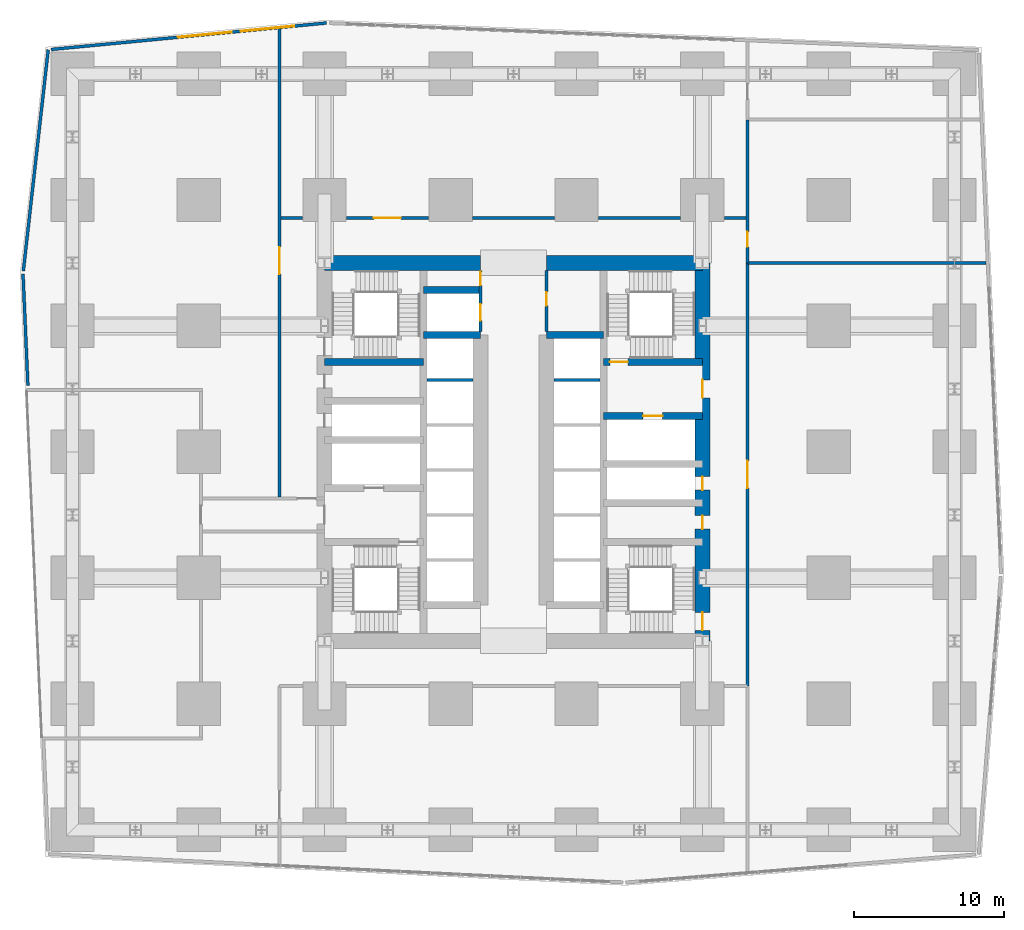
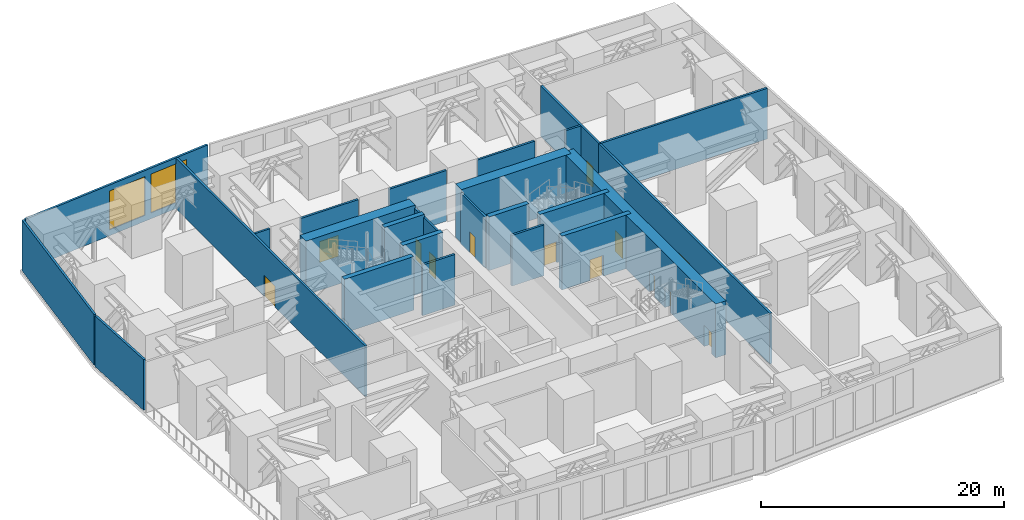
# One storey, part 10 of 16: 25 walls, 13 doors, 2 windows, 15 openings.
"""IFC4 building model written with IfcOpenShell, lengths in metres."""

from ifc_helpers import new_model, si_unit, direction, frame, frame_2d, origin, place, context, subcontext, project, spatial, rectangle, extrude, material, layer, layer_set, type_object, element, fill, save


model = new_model("IFC4")

# Units and contexts
model_context = context("Model", 3, precision=1e-05, world=origin(), true_north=direction((0.0, 1.0)))
body_context = subcontext(model_context, "Body", "Model", "MODEL_VIEW")
ifc_project = project(units=[si_unit("LENGTHUNIT", "METRE"), si_unit("AREAUNIT", "SQUARE_METRE"), si_unit("VOLUMEUNIT", "CUBIC_METRE"), si_unit("PLANEANGLEUNIT", "RADIAN"), si_unit("MASSUNIT", "GRAM", prefix="KILO")], contexts=[model_context])

# Site, building, storey
site_placement = place(None, origin())
site = spatial("IfcSite", under=ifc_project, at=site_placement, CompositionType="ELEMENT")
building_placement = place(site_placement, origin())
building = spatial("IfcBuilding", under=site, at=building_placement, Name="Rekha Terrace Tower", CompositionType="ELEMENT")
storey_placement = place(building_placement, frame((0.0, 0.0, 85.39990234375)))
storey = spatial("IfcBuildingStorey", under=building, at=storey_placement, Name="L21", CompositionType="ELEMENT", Elevation=85.39990234375)

# Walls
ifc_material_1 = material(Name="Concrete M70", Category="concrete")
ifc_layer_1 = layer(ifc_material_1, 0.449951171875)
ifc_layer_set_1 = layer_set([ifc_layer_1], Name="Concrete M70")
wall_type_1 = type_object("IfcWallType", Name="CI2 450 core internal shear wall", PredefinedType="SHEAR", material=ifc_layer_set_1)
for number, where, z_axis, x_axis, name in (
    (1, (31.800048828125, 41.39990234375, 0.0), (0.0, 0.0, 1.0), (1.0, 0.0, 0.0), "Core wall Y414W L21"),
    (2, (31.800048828125, 44.39990234375, 0.0), (0.0, 0.0, 1.0), (1.0, 0.0, 0.0), "Core wall Y444W L21"),
    (3, (40.0, 41.39990234375, 0.0), (0.0, 0.0, 1.0), (1.0, 0.0, 0.0), "Core wall Y414E L21"),
):
    element("IfcWall", number, at=place(storey_placement, frame(where, z_axis=z_axis, x_axis=x_axis)), inside=storey, type_object=wall_type_1, Name=name, PredefinedType="SHEAR", context=body_context, shape_type="SweptSolid", body=[
        extrude(rectangle(XDim=3.800048828125, YDim=0.449951171875, at=frame_2d((1.89990234375, 0.0))), origin(), (0.0, 0.0, 1.0), 5.400146484375),
    ])
wall_1_placement = place(storey_placement, frame((25.199951171875, 39.60009765625, 0.0), z_axis=(0.0, 0.0, 1.0), x_axis=(1.0, 0.0, 0.0)))
element("IfcWall", 4, at=wall_1_placement, inside=storey, type_object=wall_type_1, Name="Core wall Y396W L21", PredefinedType="SHEAR", context=body_context, shape_type="SweptSolid", body=[
    extrude(rectangle(XDim=6.60009765625, YDim=0.449951171875, at=frame_2d((3.300048828125, 0.0))), origin(), (0.0, 0.0, 1.0), 5.400146484375),
])

# Wall, opening, door
wall_2_placement = place(storey_placement, frame((43.800048828125, 36.0, 0.0), z_axis=(0.0, 0.0, 1.0), x_axis=(1.0, 0.0, 0.0)))
wall_2 = element("IfcWall", 5, at=wall_2_placement, inside=storey, type_object=wall_type_1, Name="Core wall Y360E L21", PredefinedType="SHEAR", context=body_context, shape_type="SweptSolid", body=[
    extrude(rectangle(XDim=6.599853515625, YDim=0.449951171875, at=frame_2d((3.2998046875, 0.0))), origin(), (0.0, 0.0, 1.0), 5.400146484375),
])
opening_1_placement = place(wall_2_placement, frame((2.64990234375, 0.0, 0.0)))
opening_1 = element("IfcOpeningElement", 6, at=opening_1_placement, cuts=wall_2, Name="Opening LD2", PredefinedType="OPENING", context=body_context, shape_type="SweptSolid", body=[
    extrude(rectangle(XDim=1.300048828125, YDim=2.10009765625, at=frame_2d((0.64990234375, 1.050048828125))), frame((0.0, 0.23486328125, 0.0), z_axis=(0.0, -1.0, 0.0), x_axis=(1.0, 0.0, 0.0)), (0.0, 0.0, 1.0), 0.469970703125),
])
ifc_material_2 = material(Name="Stainless steel sliding landing door", Category="steel")
door_type_1 = type_object("IfcDoorType", Name="LD2 1300x2100 fire lift landing door", OperationType="SLIDING_TO_LEFT", PredefinedType="USERDEFINED", material=ifc_material_2)
door_1_placement = place(opening_1_placement, origin())
door_1 = element("IfcDoor", 7, at=door_1_placement, inside=storey, type_object=door_type_1, Name="Lift FL2 landing door L21", ObjectType="LIFT LANDING DOOR", OperationType="SLIDING_TO_LEFT", OverallHeight=2.10009765625, OverallWidth=1.300048828125, PredefinedType="USERDEFINED", context=body_context, shape_type="SweptSolid", body=[
    extrude(rectangle(XDim=1.300048828125, YDim=2.10009765625, at=frame_2d((0.64990234375, 1.050048828125))), frame((0.0, 0.02490234375, 0.0), z_axis=(0.0, -1.0, 0.0), x_axis=(1.0, 0.0, 0.0)), (0.0, 0.0, 1.0), 0.050048828125),
])
fill(opening_1, door_1)

wall_3_placement = place(storey_placement, frame((43.800048828125, 39.60009765625, 0.0), z_axis=(0.0, 0.0, 1.0), x_axis=(1.0, 0.0, 0.0)))
wall_3 = element("IfcWall", 8, at=wall_3_placement, inside=storey, type_object=wall_type_1, Name="Core wall Y396E L21", PredefinedType="SHEAR", context=body_context, shape_type="SweptSolid", body=[
    extrude(rectangle(XDim=6.599853515625, YDim=0.449951171875, at=frame_2d((3.2998046875, 0.0))), origin(), (0.0, 0.0, 1.0), 5.400146484375),
])
opening_2_placement = place(wall_3_placement, frame((0.425048828125, 0.0, 0.0)))
opening_2 = element("IfcOpeningElement", 9, at=opening_2_placement, cuts=wall_3, Name="Opening D1", PredefinedType="OPENING", context=body_context, shape_type="SweptSolid", body=[
    extrude(rectangle(XDim=1.199951171875, YDim=2.10009765625, at=frame_2d((0.60009765625, 1.050048828125))), frame((0.0, 0.23486328125, 0.0), z_axis=(0.0, -1.0, 0.0), x_axis=(1.0, 0.0, 0.0)), (0.0, 0.0, 1.0), 0.469970703125),
])
ifc_material_3 = material(Name="Steel fire door", Category="steel")
door_type_2 = type_object("IfcDoorType", Name="D1 1200x2100 stair fire door", OperationType="SINGLE_SWING_RIGHT", PredefinedType="DOOR", material=ifc_material_3)
door_2_placement = place(opening_2_placement, origin())
door_2 = element("IfcDoor", 10, at=door_2_placement, inside=storey, type_object=door_type_2, Name="Stair ST2 door L21", OperationType="SINGLE_SWING_RIGHT", OverallHeight=2.10009765625, OverallWidth=1.199951171875, PredefinedType="DOOR", context=body_context, shape_type="SweptSolid", body=[
    extrude(rectangle(XDim=1.199951171875, YDim=2.10009765625, at=frame_2d((0.60009765625, 1.050048828125))), frame((0.0, 0.02490234375, 0.0), z_axis=(0.0, -1.0, 0.0), x_axis=(1.0, 0.0, 0.0)), (0.0, 0.0, 1.0), 0.050048828125),
])
fill(opening_2, door_2)

# Wall, openings, windows
ifc_material_4 = material(Name="Aluminium cladding on steel stud wall", Category="steel")
ifc_layer_2 = layer(ifc_material_4, 0.199951171875)
ifc_layer_set_2 = layer_set([ifc_layer_2], Name="Aluminium cladding on steel stud wall")
wall_type_2 = type_object("IfcWallType", Name="EW1 plant floor louvre wall 200", PredefinedType="SOLIDWALL", material=ifc_layer_set_2)
wall_4_placement = place(storey_placement, frame((25.325439453125, 62.19970703125, 0.0), z_axis=(0.0, 0.0, 1.0), x_axis=(-0.995408252421, -0.095720483764, 0.0)))
wall_4 = element("IfcWall", 11, at=wall_4_placement, inside=storey, type_object=wall_type_2, Name="Plant floor louvre wall", PredefinedType="SOLIDWALL", context=body_context, shape_type="SweptSolid", body=[
    extrude(rectangle(XDim=18.430419921875, YDim=0.199951171875, at=frame_2d((9.21533203125, 0.0))), origin(), (0.0, 0.0, 1.0), 5.10009765625),
])
opening_3_placement = place(wall_4_placement, frame((2.139892578125, 0.0, 0.60009765625)))
opening_3 = element("IfcOpeningElement", 12, at=opening_3_placement, cuts=wall_4, Name="Opening LV1", PredefinedType="OPENING", context=body_context, shape_type="SweptSolid", body=[
    extrude(rectangle(XDim=3.60009765625, YDim=3.89990234375, at=frame_2d((1.800048828125, 1.949951171875))), frame((0.0, 0.10986328125, 0.0), z_axis=(0.0, -1.0, 0.0), x_axis=(1.0, 0.0, 0.0)), (0.0, 0.0, 1.0), 0.219970703125),
])
opening_4_placement = place(wall_4_placement, frame((6.33984375, 0.0, 0.60009765625)))
opening_4 = element("IfcOpeningElement", 13, at=opening_4_placement, cuts=wall_4, Name="Opening LV1", PredefinedType="OPENING", context=body_context, shape_type="SweptSolid", body=[
    extrude(rectangle(XDim=3.60009765625, YDim=3.89990234375, at=frame_2d((1.800048828125, 1.949951171875))), frame((0.0, 0.10986328125, 0.0), z_axis=(0.0, -1.0, 0.0), x_axis=(1.0, 0.0, 0.0)), (0.0, 0.0, 1.0), 0.219970703125),
])
ifc_material_5 = material(Name="Extruded aluminium weather louvre", Category="aluminium")
window_type = type_object("IfcWindowType", Name="LV1 plant louvre 3600", PartitioningType="SINGLE_PANEL", PredefinedType="USERDEFINED", material=ifc_material_5)
window_1_placement = place(opening_3_placement, origin())
window_1 = element("IfcWindow", 14, at=window_1_placement, inside=storey, type_object=window_type, Name="Plant louvre", ObjectType="LOUVRE", OverallHeight=3.89990234375, OverallWidth=3.60009765625, PartitioningType="SINGLE_PANEL", PredefinedType="USERDEFINED", context=body_context, shape_type="SweptSolid", body=[
    extrude(rectangle(XDim=3.60009765625, YDim=3.89990234375, at=frame_2d((1.800048828125, 1.949951171875))), frame((0.0, 0.030029296875, 0.0), z_axis=(0.0, -1.0, 0.0), x_axis=(1.0, 0.0, 0.0)), (0.0, 0.0, 1.0), 0.06005859375),
])
fill(opening_3, window_1)
window_2_placement = place(opening_4_placement, origin())
window_2 = element("IfcWindow", 15, at=window_2_placement, inside=storey, type_object=window_type, Name="Plant louvre", ObjectType="LOUVRE", OverallHeight=3.89990234375, OverallWidth=3.60009765625, PartitioningType="SINGLE_PANEL", PredefinedType="USERDEFINED", context=body_context, shape_type="SweptSolid", body=[
    extrude(rectangle(XDim=3.60009765625, YDim=3.89990234375, at=frame_2d((1.800048828125, 1.949951171875))), frame((0.0, 0.030029296875, 0.0), z_axis=(0.0, -1.0, 0.0), x_axis=(1.0, 0.0, 0.0)), (0.0, 0.0, 1.0), 0.06005859375),
])
fill(opening_4, window_2)

# Walls
wall_5_placement = place(storey_placement, frame((6.780517578125, 60.41650390625, 0.0), z_axis=(0.0, 0.0, 1.0), x_axis=(-0.11172449749, -0.993739219645, 0.0)))
element("IfcWall", 16, at=wall_5_placement, inside=storey, type_object=wall_type_2, Name="Plant floor louvre wall", PredefinedType="SOLIDWALL", context=body_context, shape_type="SweptSolid", body=[
    extrude(rectangle(XDim=14.83740234375, YDim=0.199951171875, at=frame_2d((7.418701171875, 0.0))), origin(), (0.0, 0.0, 1.0), 5.10009765625),
])
wall_6_placement = place(storey_placement, frame((5.1005859375, 45.47314453125, 0.0), z_axis=(0.0, 0.0, 1.0), x_axis=(0.043680389876, -0.999045556289, 0.0)))
element("IfcWall", 17, at=wall_6_placement, inside=storey, type_object=wall_type_2, Name="Plant floor louvre wall", PredefinedType="SOLIDWALL", context=body_context, shape_type="SweptSolid", body=[
    extrude(rectangle(XDim=7.450439453125, YDim=0.199951171875, at=frame_2d((3.72509765625, 0.0))), origin(), (0.0, 0.0, 1.0), 5.10009765625),
])
ifc_layer_3 = layer(ifc_material_1, 1.0)
ifc_layer_set_3 = layer_set([ifc_layer_3], Name="Concrete M70")
wall_type_3 = type_object("IfcWallType", Name="SW2 1000 core outer shear wall", PredefinedType="SHEAR", material=ifc_layer_set_3)
wall_7_placement = place(storey_placement, frame((25.199951171875, 46.199951171875, 0.0), z_axis=(0.0, 0.0, 1.0), x_axis=(1.0, 0.0, 0.0)))
element("IfcWall", 18, at=wall_7_placement, inside=storey, type_object=wall_type_3, Name="Core wall N1 L21", PredefinedType="SHEAR", context=body_context, shape_type="SweptSolid", body=[
    extrude(rectangle(XDim=10.400146484375, YDim=1.0, at=frame_2d((5.2001953125, 0.0))), origin(), (0.0, 0.0, 1.0), 5.400146484375),
])
wall_8_placement = place(storey_placement, frame((40.0, 46.199951171875, 0.0), z_axis=(0.0, 0.0, 1.0), x_axis=(1.0, 0.0, 0.0)))
element("IfcWall", 19, at=wall_8_placement, inside=storey, type_object=wall_type_3, Name="Core wall N2 L21", PredefinedType="SHEAR", context=body_context, shape_type="SweptSolid", body=[
    extrude(rectangle(XDim=10.39990234375, YDim=1.0, at=frame_2d((5.199951171875, 0.0))), origin(), (0.0, 0.0, 1.0), 5.400146484375),
])

# Wall, openings, doors
wall_9_placement = place(storey_placement, frame((50.39990234375, 21.0, 0.0), z_axis=(0.0, 0.0, 1.0), x_axis=(0.0, 1.0, 0.0)))
wall_9 = element("IfcWall", 20, at=wall_9_placement, inside=storey, type_object=wall_type_3, Name="Core wall E L21", PredefinedType="SHEAR", context=body_context, shape_type="SweptSolid", body=[
    extrude(rectangle(XDim=25.199951171875, YDim=1.0, at=frame_2d((12.60009765625, 0.0))), origin(), (0.0, 0.0, 1.0), 5.400146484375),
])
opening_5_placement = place(wall_9_placement, frame((16.199951171875, 0.0, 0.0)))
opening_5 = element("IfcOpeningElement", 21, at=opening_5_placement, cuts=wall_9, Name="Opening D2", PredefinedType="OPENING", context=body_context, shape_type="SweptSolid", body=[
    extrude(rectangle(XDim=1.199951171875, YDim=2.10009765625, at=frame_2d((0.60009765625, 1.050048828125))), frame((0.0, 0.510009765625, 0.0), z_axis=(0.0, -1.0, 0.0), x_axis=(1.0, 0.0, 0.0)), (0.0, 0.0, 1.0), 1.02001953125),
])
opening_6_placement = place(wall_9_placement, frame((10.050048828125, 0.0, 0.0)))
opening_6 = element("IfcOpeningElement", 22, at=opening_6_placement, cuts=wall_9, Name="Opening D5", PredefinedType="OPENING", context=body_context, shape_type="SweptSolid", body=[
    extrude(rectangle(XDim=0.89990234375, YDim=2.10009765625, at=frame_2d((0.449951171875, 1.050048828125))), frame((0.0, 0.510009765625, 0.0), z_axis=(0.0, -1.0, 0.0), x_axis=(1.0, 0.0, 0.0)), (0.0, 0.0, 1.0), 1.02001953125),
])
opening_7_placement = place(wall_9_placement, frame((7.449951171875, 0.0, 0.0)))
opening_7 = element("IfcOpeningElement", 23, at=opening_7_placement, cuts=wall_9, Name="Opening D5", PredefinedType="OPENING", context=body_context, shape_type="SweptSolid", body=[
    extrude(rectangle(XDim=0.89990234375, YDim=2.10009765625, at=frame_2d((0.449951171875, 1.050048828125))), frame((0.0, 0.510009765625, 0.0), z_axis=(0.0, -1.0, 0.0), x_axis=(1.0, 0.0, 0.0)), (0.0, 0.0, 1.0), 1.02001953125),
])
opening_8_placement = place(wall_9_placement, frame((0.699951171875, 0.0, 0.0)))
opening_8 = element("IfcOpeningElement", 24, at=opening_8_placement, cuts=wall_9, Name="Opening D1", PredefinedType="OPENING", context=body_context, shape_type="SweptSolid", body=[
    extrude(rectangle(XDim=1.199951171875, YDim=2.10009765625, at=frame_2d((0.60009765625, 1.050048828125))), frame((0.0, 0.510009765625, 0.0), z_axis=(0.0, -1.0, 0.0), x_axis=(1.0, 0.0, 0.0)), (0.0, 0.0, 1.0), 1.02001953125),
])
door_3_placement = place(opening_8_placement, origin())
door_3 = element("IfcDoor", 25, at=door_3_placement, inside=storey, type_object=door_type_2, Name="Stair ST3 door L21", OperationType="SINGLE_SWING_RIGHT", OverallHeight=2.10009765625, OverallWidth=1.199951171875, PredefinedType="DOOR", context=body_context, shape_type="SweptSolid", body=[
    extrude(rectangle(XDim=1.199951171875, YDim=2.10009765625, at=frame_2d((0.60009765625, 1.050048828125))), frame((0.0, 0.02490234375, 0.0), z_axis=(0.0, -1.0, 0.0), x_axis=(1.0, 0.0, 0.0)), (0.0, 0.0, 1.0), 0.050048828125),
])
fill(opening_8, door_3)
door_type_3 = type_object("IfcDoorType", Name="D2 1200x2100 firefighting lobby door", OperationType="SINGLE_SWING_LEFT", PredefinedType="DOOR", material=ifc_material_3)
door_4_placement = place(opening_5_placement, origin())
door_4 = element("IfcDoor", 26, at=door_4_placement, inside=storey, type_object=door_type_3, Name="Door flb2 L21", OperationType="SINGLE_SWING_LEFT", OverallHeight=2.10009765625, OverallWidth=1.199951171875, PredefinedType="DOOR", context=body_context, shape_type="SweptSolid", body=[
    extrude(rectangle(XDim=1.199951171875, YDim=2.10009765625, at=frame_2d((0.60009765625, 1.050048828125))), frame((0.0, 0.02490234375, 0.0), z_axis=(0.0, -1.0, 0.0), x_axis=(1.0, 0.0, 0.0)), (0.0, 0.0, 1.0), 0.050048828125),
])
fill(opening_5, door_4)
door_type_4 = type_object("IfcDoorType", Name="D5 900x2100 riser access door", OperationType="SINGLE_SWING_LEFT", PredefinedType="DOOR", material=ifc_material_3)
door_5_placement = place(opening_6_placement, origin())
door_5 = element("IfcDoor", 27, at=door_5_placement, inside=storey, type_object=door_type_4, Name="Door rs2 L21", OperationType="SINGLE_SWING_LEFT", OverallHeight=2.10009765625, OverallWidth=0.89990234375, PredefinedType="DOOR", context=body_context, shape_type="SweptSolid", body=[
    extrude(rectangle(XDim=0.89990234375, YDim=2.10009765625, at=frame_2d((0.449951171875, 1.050048828125))), frame((0.0, 0.02490234375, 0.0), z_axis=(0.0, -1.0, 0.0), x_axis=(1.0, 0.0, 0.0)), (0.0, 0.0, 1.0), 0.050048828125),
])
fill(opening_6, door_5)
door_6_placement = place(opening_7_placement, origin())
door_6 = element("IfcDoor", 28, at=door_6_placement, inside=storey, type_object=door_type_4, Name="Door ele L21", OperationType="SINGLE_SWING_LEFT", OverallHeight=2.10009765625, OverallWidth=0.89990234375, PredefinedType="DOOR", context=body_context, shape_type="SweptSolid", body=[
    extrude(rectangle(XDim=0.89990234375, YDim=2.10009765625, at=frame_2d((0.449951171875, 1.050048828125))), frame((0.0, 0.02490234375, 0.0), z_axis=(0.0, -1.0, 0.0), x_axis=(1.0, 0.0, 0.0)), (0.0, 0.0, 1.0), 0.050048828125),
])
fill(opening_7, door_6)

# Wall, opening, door
ifc_material_6 = material(Name="Solid concrete block masonry, 2 hour", Category="masonry")
ifc_layer_4 = layer(ifc_material_6, 0.199951171875)
ifc_layer_set_4 = layer_set([ifc_layer_4], Name="Solid concrete block masonry, 2 hour")
wall_type_4 = type_object("IfcWallType", Name="WP1 200 plant room wall", PredefinedType="PARTITIONING", material=ifc_layer_set_4)
wall_10_placement = place(storey_placement, frame((22.199951171875, 61.799072265625, 0.0), z_axis=(0.0, 0.0, 1.0), x_axis=(0.0, -1.0, 0.0)))
wall_10 = element("IfcWall", 29, at=wall_10_placement, inside=storey, type_object=wall_type_4, Name="Partition L21-03", PredefinedType="PARTITIONING", context=body_context, shape_type="SweptSolid", body=[
    extrude(rectangle(XDim=31.18798828125, YDim=0.199951171875, at=frame_2d((15.593994140625, 0.0))), origin(), (0.0, 0.0, 1.0), 5.10009765625),
])
opening_9_placement = place(wall_10_placement, frame((14.549072265625, 0.0, 0.0)))
opening_9 = element("IfcOpeningElement", 30, at=opening_9_placement, cuts=wall_10, Name="Opening D6", PredefinedType="OPENING", context=body_context, shape_type="SweptSolid", body=[
    extrude(rectangle(XDim=1.800048828125, YDim=2.10009765625, at=frame_2d((0.89990234375, 1.050048828125))), frame((0.0, 0.10986328125, 0.0), z_axis=(0.0, -1.0, 0.0), x_axis=(1.0, 0.0, 0.0)), (0.0, 0.0, 1.0), 0.219970703125),
])
door_type_5 = type_object("IfcDoorType", Name="D6 1800x2100 plant room double door", OperationType="DOUBLE_DOOR_SINGLE_SWING", PredefinedType="DOOR", material=ifc_material_3)
door_7_placement = place(opening_9_placement, origin())
door_7 = element("IfcDoor", 31, at=door_7_placement, inside=storey, type_object=door_type_5, Name="Door ahu plant room L21", OperationType="DOUBLE_DOOR_SINGLE_SWING", OverallHeight=2.10009765625, OverallWidth=1.800048828125, PredefinedType="DOOR", context=body_context, shape_type="SweptSolid", body=[
    extrude(rectangle(XDim=1.800048828125, YDim=2.10009765625, at=frame_2d((0.89990234375, 1.050048828125))), frame((0.0, 0.02490234375, 0.0), z_axis=(0.0, -1.0, 0.0), x_axis=(1.0, 0.0, 0.0)), (0.0, 0.0, 1.0), 0.050048828125),
])
fill(opening_9, door_7)

# Wall
wall_11_placement = place(storey_placement, frame((69.31494140625, 46.199951171875, 0.0), z_axis=(0.0, 0.0, 1.0), x_axis=(-1.0, 0.0, 0.0)))
element("IfcWall", 32, at=wall_11_placement, inside=storey, type_object=wall_type_4, Name="Partition L21-07", PredefinedType="PARTITIONING", context=body_context, shape_type="SweptSolid", body=[
    extrude(rectangle(XDim=15.9150390625, YDim=0.199951171875, at=frame_2d((7.95751953125, 0.0))), origin(), (0.0, 0.0, 1.0), 5.10009765625),
])

# Wall, opening, door
wall_12_placement = place(storey_placement, frame((53.39990234375, 46.199951171875, 0.0), z_axis=(0.0, 0.0, 1.0), x_axis=(0.0, 1.0, 0.0)))
wall_12 = element("IfcWall", 33, at=wall_12_placement, inside=storey, type_object=wall_type_4, Name="Partition L21-07", PredefinedType="PARTITIONING", context=body_context, shape_type="SweptSolid", body=[
    extrude(rectangle(XDim=9.550048828125, YDim=0.199951171875, at=frame_2d((4.77490234375, 0.0))), origin(), (0.0, 0.0, 1.0), 5.10009765625),
])
opening_10_placement = place(wall_12_placement, frame((1.074951171875, 0.0, 0.0)))
opening_10 = element("IfcOpeningElement", 34, at=opening_10_placement, cuts=wall_12, Name="Opening D9", PredefinedType="OPENING", context=body_context, shape_type="SweptSolid", body=[
    extrude(rectangle(XDim=1.0, YDim=2.10009765625, at=frame_2d((0.5, 1.050048828125))), frame((0.0, 0.10986328125, 0.0), z_axis=(0.0, -1.0, 0.0), x_axis=(1.0, 0.0, 0.0)), (0.0, 0.0, 1.0), 0.219970703125),
])
ifc_material_7 = material(Name="Timber fire door", Category="wood")
door_type_6 = type_object("IfcDoorType", Name="D9 1000x2100 office door", OperationType="SINGLE_SWING_LEFT", PredefinedType="DOOR", material=ifc_material_7)
door_8_placement = place(opening_10_placement, origin())
door_8 = element("IfcDoor", 35, at=door_8_placement, inside=storey, type_object=door_type_6, Name="Door transformer room L21", OperationType="SINGLE_SWING_LEFT", OverallHeight=2.10009765625, OverallWidth=1.0, PredefinedType="DOOR", context=body_context, shape_type="SweptSolid", body=[
    extrude(rectangle(XDim=1.0, YDim=2.10009765625, at=frame_2d((0.5, 1.050048828125))), frame((0.0, 0.02490234375, 0.0), z_axis=(0.0, -1.0, 0.0), x_axis=(1.0, 0.0, 0.0)), (0.0, 0.0, 1.0), 0.050048828125),
])
fill(opening_10, door_8)

wall_13_placement = place(storey_placement, frame((53.39990234375, 18.0, 0.0), z_axis=(0.0, 0.0, 1.0), x_axis=(0.0, 1.0, 0.0)))
wall_13 = element("IfcWall", 36, at=wall_13_placement, inside=storey, type_object=wall_type_4, Name="Partition L21-04", PredefinedType="PARTITIONING", context=body_context, shape_type="SweptSolid", body=[
    extrude(rectangle(XDim=28.199951171875, YDim=0.199951171875, at=frame_2d((14.10009765625, 0.0))), origin(), (0.0, 0.0, 1.0), 5.10009765625),
])
opening_11_placement = place(wall_13_placement, frame((13.199951171875, 0.0, 0.0)))
opening_11 = element("IfcOpeningElement", 37, at=opening_11_placement, cuts=wall_13, Name="Opening D6", PredefinedType="OPENING", context=body_context, shape_type="SweptSolid", body=[
    extrude(rectangle(XDim=1.800048828125, YDim=2.10009765625, at=frame_2d((0.89990234375, 1.050048828125))), frame((0.0, 0.10986328125, 0.0), z_axis=(0.0, -1.0, 0.0), x_axis=(1.0, 0.0, 0.0)), (0.0, 0.0, 1.0), 0.219970703125),
])
door_9_placement = place(opening_11_placement, origin())
door_9 = element("IfcDoor", 38, at=door_9_placement, inside=storey, type_object=door_type_5, Name="Door chiller plant room L21", OperationType="DOUBLE_DOOR_SINGLE_SWING", OverallHeight=2.10009765625, OverallWidth=1.800048828125, PredefinedType="DOOR", context=body_context, shape_type="SweptSolid", body=[
    extrude(rectangle(XDim=1.800048828125, YDim=2.10009765625, at=frame_2d((0.89990234375, 1.050048828125))), frame((0.0, 0.02490234375, 0.0), z_axis=(0.0, -1.0, 0.0), x_axis=(1.0, 0.0, 0.0)), (0.0, 0.0, 1.0), 0.050048828125),
])
fill(opening_11, door_9)

# Walls
wall_14_placement = place(storey_placement, frame((53.300048828125, 49.199951171875, 0.0), z_axis=(0.0, 0.0, 1.0), x_axis=(-1.0, 0.0, 0.0)))
element("IfcWall", 39, at=wall_14_placement, inside=storey, type_object=wall_type_4, Name="Partition L21-05", PredefinedType="PARTITIONING", context=body_context, shape_type="SweptSolid", body=[
    extrude(rectangle(XDim=1.429931640625, YDim=0.199951171875, at=frame_2d((0.71484375, 0.0))), origin(), (0.0, 0.0, 1.0), 5.10009765625),
])
for number, where, z_axis, x_axis, name in (
    (40, (48.929931640625, 49.199951171875, 0.0), (0.0, 0.0, 1.0), (-1.0, 0.0, 0.0), "Partition L21-05"),
    (41, (40.530029296875, 49.199951171875, 0.0), (0.0, 0.0, 1.0), (-1.0, 0.0, 0.0), "Partition L21-05"),
):
    element("IfcWall", number, at=place(storey_placement, frame(where, z_axis=z_axis, x_axis=x_axis)), inside=storey, type_object=wall_type_4, Name=name, PredefinedType="PARTITIONING", context=body_context, shape_type="SweptSolid", body=[
        extrude(rectangle(XDim=5.4599609375, YDim=0.199951171875, at=frame_2d((2.72998046875, 0.0))), origin(), (0.0, 0.0, 1.0), 5.10009765625),
    ])

# Wall, opening, door
wall_15_placement = place(storey_placement, frame((32.1298828125, 49.199951171875, 0.0), z_axis=(0.0, 0.0, 1.0), x_axis=(-1.0, 0.0, 0.0)))
wall_15 = element("IfcWall", 42, at=wall_15_placement, inside=storey, type_object=wall_type_4, Name="Partition L21-05", PredefinedType="PARTITIONING", context=body_context, shape_type="SweptSolid", body=[
    extrude(rectangle(XDim=5.4599609375, YDim=0.199951171875, at=frame_2d((2.72998046875, 0.0))), origin(), (0.0, 0.0, 1.0), 5.10009765625),
])
opening_12_placement = place(wall_15_placement, frame((1.830078125, 0.0, 0.0)))
opening_12 = element("IfcOpeningElement", 43, at=opening_12_placement, cuts=wall_15, Name="Opening D6", PredefinedType="OPENING", context=body_context, shape_type="SweptSolid", body=[
    extrude(rectangle(XDim=1.800048828125, YDim=2.10009765625, at=frame_2d((0.89990234375, 1.050048828125))), frame((0.0, 0.10986328125, 0.0), z_axis=(0.0, -1.0, 0.0), x_axis=(1.0, 0.0, 0.0)), (0.0, 0.0, 1.0), 0.219970703125),
])
door_10_placement = place(opening_12_placement, origin())
door_10 = element("IfcDoor", 44, at=door_10_placement, inside=storey, type_object=door_type_5, Name="Door water tank room L21", OperationType="DOUBLE_DOOR_SINGLE_SWING", OverallHeight=2.10009765625, OverallWidth=1.800048828125, PredefinedType="DOOR", context=body_context, shape_type="SweptSolid", body=[
    extrude(rectangle(XDim=1.800048828125, YDim=2.10009765625, at=frame_2d((0.89990234375, 1.050048828125))), frame((0.0, 0.02490234375, 0.0), z_axis=(0.0, -1.0, 0.0), x_axis=(1.0, 0.0, 0.0)), (0.0, 0.0, 1.0), 0.050048828125),
])
fill(opening_12, door_10)

# Walls
wall_16_placement = place(storey_placement, frame((23.72998046875, 49.199951171875, 0.0), z_axis=(0.0, 0.0, 1.0), x_axis=(-1.0, 0.0, 0.0)))
element("IfcWall", 45, at=wall_16_placement, inside=storey, type_object=wall_type_4, Name="Partition L21-05", PredefinedType="PARTITIONING", context=body_context, shape_type="SweptSolid", body=[
    extrude(rectangle(XDim=1.429931640625, YDim=0.199951171875, at=frame_2d((0.71484375, 0.0))), origin(), (0.0, 0.0, 1.0), 5.10009765625),
])
ifc_layer_5 = layer(ifc_material_6, 0.199951171875)
ifc_layer_set_5 = layer_set([ifc_layer_5], Name="Solid concrete block masonry, 2 hour")
wall_type_5 = type_object("IfcWallType", Name="WS1 200 stair and shaft enclosure", PredefinedType="PARTITIONING", material=ifc_layer_set_5)
wall_17_placement = place(storey_placement, frame((32.02490234375, 38.39990234375, 0.0), z_axis=(0.0, 0.0, 1.0), x_axis=(1.0, 0.0, 0.0)))
element("IfcWall", 46, at=wall_17_placement, inside=storey, type_object=wall_type_5, Name="Lift shaft divider L21", PredefinedType="PARTITIONING", context=body_context, shape_type="SweptSolid", body=[
    extrude(rectangle(XDim=3.0751953125, YDim=0.199951171875, at=frame_2d((1.53759765625, 0.0))), origin(), (0.0, 0.0, 1.0), 5.10009765625),
])
wall_18_placement = place(storey_placement, frame((40.5, 38.39990234375, 0.0), z_axis=(0.0, 0.0, 1.0), x_axis=(1.0, 0.0, 0.0)))
element("IfcWall", 47, at=wall_18_placement, inside=storey, type_object=wall_type_5, Name="Lift shaft divider L21", PredefinedType="PARTITIONING", context=body_context, shape_type="SweptSolid", body=[
    extrude(rectangle(XDim=3.074951171875, YDim=0.199951171875, at=frame_2d((1.53759765625, 0.0))), origin(), (0.0, 0.0, 1.0), 5.10009765625),
])

# Wall, opening, door
wall_19_placement = place(storey_placement, frame((40.0, 41.625, 0.0), z_axis=(0.0, 0.0, 1.0), x_axis=(0.0, 1.0, 0.0)))
wall_19 = element("IfcWall", 48, at=wall_19_placement, inside=storey, type_object=wall_type_5, Name="Core partition elec L21", PredefinedType="PARTITIONING", context=body_context, shape_type="SweptSolid", body=[
    extrude(rectangle(XDim=4.074951171875, YDim=0.199951171875, at=frame_2d((2.03759765625, 0.0))), origin(), (0.0, 0.0, 1.0), 5.10009765625),
])
opening_13_placement = place(wall_19_placement, frame((1.72509765625, 0.0, 0.0)))
opening_13 = element("IfcOpeningElement", 49, at=opening_13_placement, cuts=wall_19, Name="Opening D5", PredefinedType="OPENING", context=body_context, shape_type="SweptSolid", body=[
    extrude(rectangle(XDim=0.89990234375, YDim=2.10009765625, at=frame_2d((0.449951171875, 1.050048828125))), frame((0.0, 0.10986328125, 0.0), z_axis=(0.0, -1.0, 0.0), x_axis=(1.0, 0.0, 0.0)), (0.0, 0.0, 1.0), 0.219970703125),
])
door_11_placement = place(opening_13_placement, origin())
door_11 = element("IfcDoor", 50, at=door_11_placement, inside=storey, type_object=door_type_4, Name="Door electrical room L21", OperationType="SINGLE_SWING_LEFT", OverallHeight=2.10009765625, OverallWidth=0.89990234375, PredefinedType="DOOR", context=body_context, shape_type="SweptSolid", body=[
    extrude(rectangle(XDim=0.89990234375, YDim=2.10009765625, at=frame_2d((0.449951171875, 1.050048828125))), frame((0.0, 0.02490234375, 0.0), z_axis=(0.0, -1.0, 0.0), x_axis=(1.0, 0.0, 0.0)), (0.0, 0.0, 1.0), 0.050048828125),
])
fill(opening_13, door_11)

# Wall, openings, doors
wall_20_placement = place(storey_placement, frame((35.60009765625, 41.625, 0.0), z_axis=(0.0, 0.0, 1.0), x_axis=(0.0, 1.0, 0.0)))
wall_20 = element("IfcWall", 51, at=wall_20_placement, inside=storey, type_object=wall_type_5, Name="Core partition jansv L21", PredefinedType="PARTITIONING", context=body_context, shape_type="SweptSolid", body=[
    extrude(rectangle(XDim=4.074951171875, YDim=0.199951171875, at=frame_2d((2.03759765625, 0.0))), origin(), (0.0, 0.0, 1.0), 5.10009765625),
])
opening_14_placement = place(wall_20_placement, frame((3.087890625, 0.0, 0.0)))
opening_14 = element("IfcOpeningElement", 52, at=opening_14_placement, cuts=wall_20, Name="Opening D5", PredefinedType="OPENING", context=body_context, shape_type="SweptSolid", body=[
    extrude(rectangle(XDim=0.89990234375, YDim=2.10009765625, at=frame_2d((0.449951171875, 1.050048828125))), frame((0.0, 0.10986328125, 0.0), z_axis=(0.0, -1.0, 0.0), x_axis=(1.0, 0.0, 0.0)), (0.0, 0.0, 1.0), 0.219970703125),
])
opening_15_placement = place(wall_20_placement, frame((0.72509765625, 0.0, 0.0)))
opening_15 = element("IfcOpeningElement", 53, at=opening_15_placement, cuts=wall_20, Name="Opening LD1", PredefinedType="OPENING", context=body_context, shape_type="SweptSolid", body=[
    extrude(rectangle(XDim=1.10009765625, YDim=2.10009765625, at=frame_2d((0.550048828125, 1.050048828125))), frame((0.0, 0.10986328125, 0.0), z_axis=(0.0, -1.0, 0.0), x_axis=(1.0, 0.0, 0.0)), (0.0, 0.0, 1.0), 0.219970703125),
])
door_12_placement = place(opening_14_placement, origin())
door_12 = element("IfcDoor", 54, at=door_12_placement, inside=storey, type_object=door_type_4, Name="Door janitor room L21", OperationType="SINGLE_SWING_LEFT", OverallHeight=2.10009765625, OverallWidth=0.89990234375, PredefinedType="DOOR", context=body_context, shape_type="SweptSolid", body=[
    extrude(rectangle(XDim=0.89990234375, YDim=2.10009765625, at=frame_2d((0.449951171875, 1.050048828125))), frame((0.0, 0.02490234375, 0.0), z_axis=(0.0, -1.0, 0.0), x_axis=(1.0, 0.0, 0.0)), (0.0, 0.0, 1.0), 0.050048828125),
])
fill(opening_14, door_12)
door_type_7 = type_object("IfcDoorType", Name="LD1 1100x2100 lift landing door", OperationType="SLIDING_TO_LEFT", PredefinedType="USERDEFINED", material=ifc_material_2)
door_13_placement = place(opening_15_placement, origin())
door_13 = element("IfcDoor", 55, at=door_13_placement, inside=storey, type_object=door_type_7, Name="Lift SV1 landing door L21", ObjectType="LIFT LANDING DOOR", OperationType="SLIDING_TO_LEFT", OverallHeight=2.10009765625, OverallWidth=1.10009765625, PredefinedType="USERDEFINED", context=body_context, shape_type="SweptSolid", body=[
    extrude(rectangle(XDim=1.10009765625, YDim=2.10009765625, at=frame_2d((0.550048828125, 1.050048828125))), frame((0.0, 0.02490234375, 0.0), z_axis=(0.0, -1.0, 0.0), x_axis=(1.0, 0.0, 0.0)), (0.0, 0.0, 1.0), 0.050048828125),
])
fill(opening_15, door_13)

save(model, "model.ifc")
